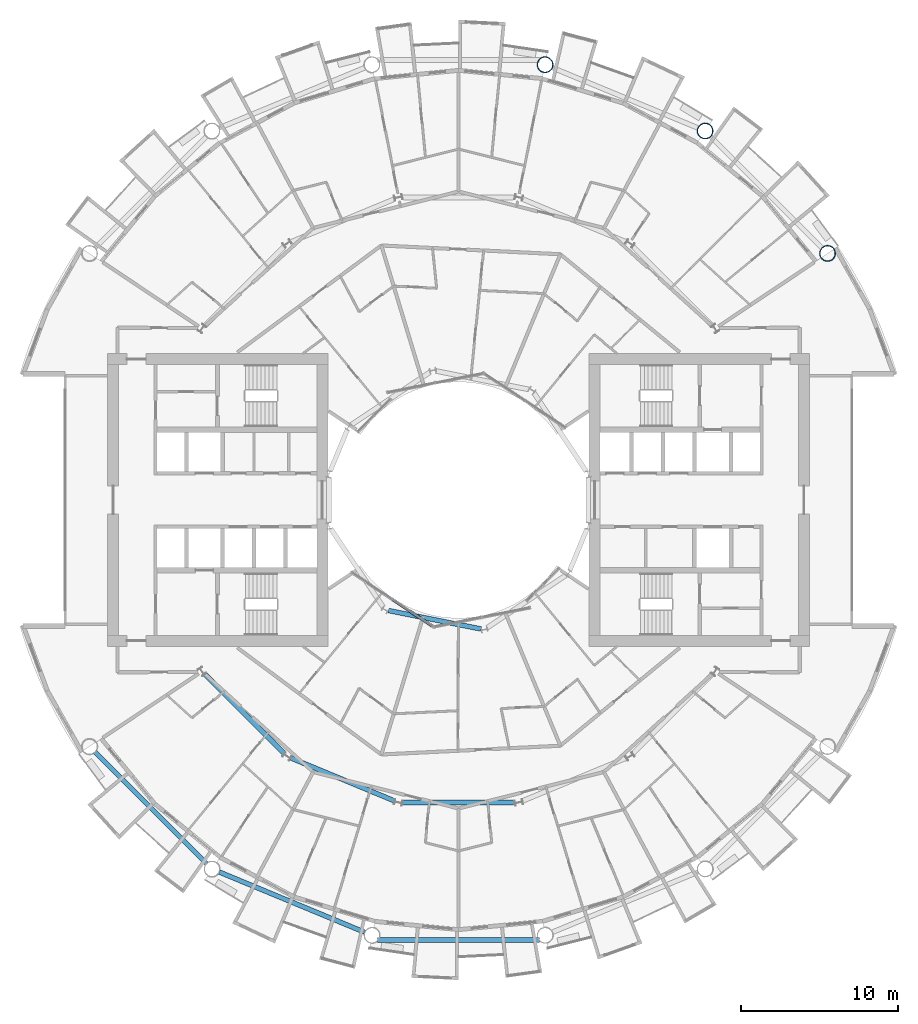
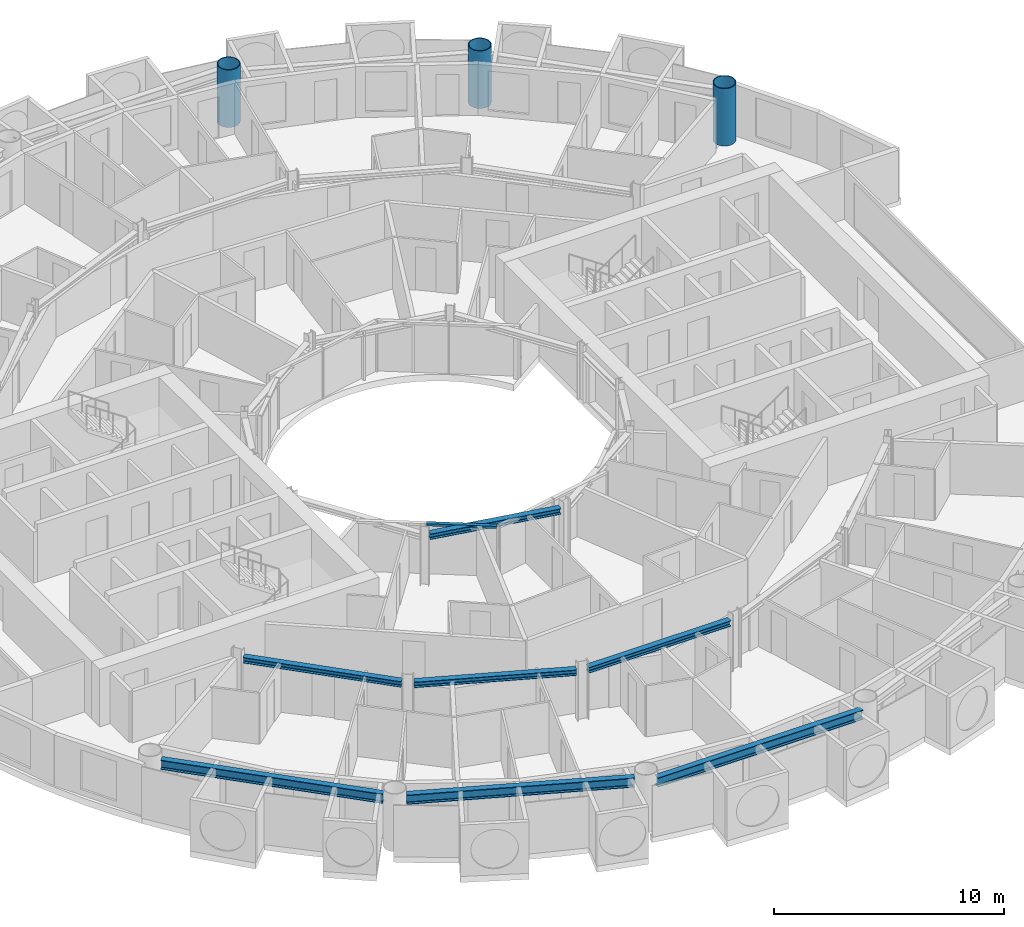
# One storey, part 4 of 26: 7 beams, 3 columns, 1 member, 1 element without a shape of its own.
"""IFC4 building model written with IfcOpenShell, lengths in metres."""

from ifc_helpers import new_model, si_unit, direction, frame, origin, origin_2d, place, context, subcontext, project, spatial, rectangle, hollow_circle, i_section, extrude, material, layer, layer_set, material_profile, profile_set, type_object, element, aggregate, save


model = new_model("IFC4")

# Units and contexts
model_context = context("Model", 3, precision=1e-05, world=origin(), true_north=direction((0.0, 1.0)))
body_context = subcontext(model_context, "Body", "Model", "MODEL_VIEW")
ifc_project = project(units=[si_unit("LENGTHUNIT", "METRE"), si_unit("AREAUNIT", "SQUARE_METRE"), si_unit("VOLUMEUNIT", "CUBIC_METRE"), si_unit("PLANEANGLEUNIT", "RADIAN"), si_unit("MASSUNIT", "GRAM", prefix="KILO")], contexts=[model_context])

# Site, building, storey
site_placement = place(None, origin())
site = spatial("IfcSite", under=ifc_project, at=site_placement, CompositionType="ELEMENT")
building_placement = place(site_placement, origin())
building = spatial("IfcBuilding", under=site, at=building_placement, Name="Maasbend Ring Residences", CompositionType="ELEMENT")
storey_placement = place(building_placement, frame((0.0, 0.0, 84.949951171875)))
storey = spatial("IfcBuildingStorey", under=building, at=storey_placement, Name="L24", CompositionType="ELEMENT", Elevation=84.949951171875)

# Columns
ifc_material_1 = material(Name="Composite concrete-filled steel tube S460NH / C80/95", Category="concrete")
ifc_material_profile_1 = material_profile(ifc_material_1, hollow_circle(Radius=0.508056640625, WallThickness=0.0400390625, at=origin_2d()), Name="Composite tube column CHS 1016x40")
ifc_profile_set_1 = profile_set([ifc_material_profile_1], Name="Composite concrete-filled steel tube S460NH / C80/95")
column_type = type_object("IfcColumnType", Name="Composite tube column CHS 1016x40", PredefinedType="COLUMN", material=ifc_profile_set_1)
for number, where, z_axis, x_axis, name in (
    (1, (23.447509765625, 15.6669921875, 0.0), (0.0, 0.0, 1.0), (1.0, 0.0, 0.0), "Outer column R2"),
    (2, (15.6669921875, 23.447509765625, 0.0), (0.0, 0.0, 1.0), (1.0, 0.0, 0.0), "Outer column R3"),
    (3, (5.50146484375, 27.658203125, 0.0), (0.0, 0.0, 1.0), (1.0, 0.0, 0.0), "Outer column R4"),
):
    element("IfcColumn", number, at=place(storey_placement, frame(where, z_axis=z_axis, x_axis=x_axis)), inside=storey, type_object=column_type, Name=name, PredefinedType="COLUMN", context=body_context, shape_type="SweptSolid", body=[
        extrude(hollow_circle(Radius=0.508056640625, WallThickness=0.0400390625, at=origin_2d()), origin(), (0.0, 0.0, 1.0), 3.050048828125),
    ])

# Curtain wall, member
ifc_material_2 = material(Name="Aluminium and clear glass", Category="aluminium")
ifc_layer = layer(ifc_material_2, 0.179931640625)
ifc_layer_set = layer_set([ifc_layer], Name="CW-W")
curtain_wall_type = type_object("IfcCurtainWallType", Name="CW-W", PredefinedType="NOTDEFINED", material=ifc_layer_set)
curtain_wall_placement = place(storey_placement, origin())
curtain_wall = element("IfcCurtainWall", 4, at=curtain_wall_placement, inside=storey, type_object=curtain_wall_type, Name="Well curtain wall S1", PredefinedType="NOTDEFINED")
ifc_material_3 = material(Name="Aluminium 6063-T6", Category="aluminium")
ifc_material_profile_2 = material_profile(ifc_material_3, rectangle(XDim=0.179931640625, YDim=0.1201171875, at=origin_2d()), Name="AL 180x120")
ifc_profile_set_2 = profile_set([ifc_material_profile_2], Name="Aluminium 6063-T6")
member_type = type_object("IfcMemberType", Name="CWT-W", PredefinedType="USERDEFINED", material=ifc_profile_set_2)
member_placement = place(storey_placement, frame((-4.19189453125, -6.32763671875, 2.64013671875), z_axis=(0.831496422459, -0.555530106689, 0.0), x_axis=(0.555530106689, 0.831496422459, 0.0)))
member = element("IfcMember", 5, at=member_placement, type_object=member_type, Name="Transom well face", ObjectType="TRANSOM", PredefinedType="USERDEFINED", context=body_context, shape_type="SweptSolid", body=[
    extrude(rectangle(XDim=0.179931640625, YDim=0.1201171875, at=origin_2d()), origin(), (0.0, 0.0, 1.0), 3.053955078125),
])
aggregate(curtain_wall, [member])

# Beams
ifc_material_4 = material(Name="Steel S355J2", Category="steel")
ifc_material_profile_3 = material_profile(ifc_material_4, i_section(OverallWidth=0.300048828125, OverallDepth=0.300048828125, WebThickness=0.010986328125, FlangeThickness=0.01904296875, FilletRadius=0.027099609375, at=origin_2d()), Name="HEB 300")
ifc_profile_set_3 = profile_set([ifc_material_profile_3], Name="Steel S355J2")
beam_type_1 = type_object("IfcBeamType", Name="Corridor ring beam HEB 300", PredefinedType="BEAM", material=ifc_profile_set_3)
for number, where, z_axis, x_axis, name in (
    (6, (-16.10791015625, -11.078125, 2.550048828125), (0.707106781187, -0.707106781187, 0.0), (0.707106781187, 0.707106781187, 0.0), "Corridor ring beam"),
    (7, (-10.642333984375, -16.39892578125, 2.550048828125), (0.923877113721, -0.382689271788, 0.0), (0.382689271788, 0.923877113721, 0.0), "Corridor ring beam"),
    (8, (-3.556640625, -19.223388671875, 2.550048828125), (1.0, 0.0, 0.0), (0.0, 1.0, 0.0), "Corridor ring beam"),
):
    element("IfcBeam", number, at=place(storey_placement, frame(where, z_axis=z_axis, x_axis=x_axis)), inside=storey, type_object=beam_type_1, Name=name, PredefinedType="BEAM", context=body_context, shape_type="SweptSolid", body=[
        extrude(i_section(OverallWidth=0.300048828125, OverallDepth=0.300048828125, WebThickness=0.010986328125, FlangeThickness=0.01904296875, FilletRadius=0.027099609375, at=origin_2d()), origin(), (0.0, 0.0, 1.0), 7.11328125),
    ])
ifc_material_5 = material(Name="Steel S355J2", Category="steel")
ifc_material_profile_4 = material_profile(ifc_material_5, i_section(OverallWidth=0.300048828125, OverallDepth=0.5, WebThickness=0.014404296875, FlangeThickness=0.028076171875, FilletRadius=0.027099609375, at=origin_2d()), Name="HEB 500")
ifc_profile_set_4 = profile_set([ifc_material_profile_4], Name="Steel S355J2")
beam_type_2 = type_object("IfcBeamType", Name="Spandrel ring beam HEB 500", PredefinedType="SPANDREL", material=ifc_profile_set_4)
beam_1_placement = place(storey_placement, frame((-23.088134765625, -16.0263671875, 2.449951171875), z_axis=(0.707106781187, -0.707106781187, 0.0), x_axis=(0.707106781187, 0.707106781187, 0.0)))
element("IfcBeam", 9, at=beam_1_placement, inside=storey, type_object=beam_type_2, Name="Spandrel ring beam", PredefinedType="SPANDREL", context=body_context, shape_type="SweptSolid", body=[
    extrude(i_section(OverallWidth=0.300048828125, OverallDepth=0.5, WebThickness=0.014404296875, FlangeThickness=0.028076171875, FilletRadius=0.027099609375, at=origin_2d()), origin(), (0.0, 0.0, 1.0), 9.98681640625),
])
beam_2_placement = place(storey_placement, frame((-15.19775390625, -23.641845703125, 2.449951171875), z_axis=(0.923886337442, -0.382667003395, 0.0), x_axis=(0.382667003395, 0.923886337442, 0.0)))
element("IfcBeam", 10, at=beam_2_placement, inside=storey, type_object=beam_type_2, Name="Spandrel ring beam", PredefinedType="SPANDREL", context=body_context, shape_type="SweptSolid", body=[
    extrude(i_section(OverallWidth=0.300048828125, OverallDepth=0.5, WebThickness=0.014404296875, FlangeThickness=0.028076171875, FilletRadius=0.027099609375, at=origin_2d()), origin(), (0.0, 0.0, 1.0), 9.9873046875),
])
beam_3_placement = place(storey_placement, frame((-5.1435546875, -27.9580078125, 2.449951171875), z_axis=(1.0, 0.0, 0.0), x_axis=(0.0, 1.0, 0.0)))
element("IfcBeam", 11, at=beam_3_placement, inside=storey, type_object=beam_type_2, Name="Spandrel ring beam", PredefinedType="SPANDREL", context=body_context, shape_type="SweptSolid", body=[
    extrude(i_section(OverallWidth=0.300048828125, OverallDepth=0.5, WebThickness=0.014404296875, FlangeThickness=0.028076171875, FilletRadius=0.027099609375, at=origin_2d()), origin(), (0.0, 0.0, 1.0), 10.287109375),
])
ifc_material_6 = material(Name="Steel S355J2", Category="steel")
ifc_material_profile_5 = material_profile(ifc_material_6, i_section(OverallWidth=0.300048828125, OverallDepth=0.300048828125, WebThickness=0.010986328125, FlangeThickness=0.01904296875, FilletRadius=0.027099609375, at=origin_2d()), Name="HEB 300")
ifc_profile_set_5 = profile_set([ifc_material_profile_5], Name="Steel S355J2")
beam_type_3 = type_object("IfcBeamType", Name="Well edge beam HEB 300", PredefinedType="BEAM", material=ifc_profile_set_5)
beam_4_placement = place(storey_placement, frame((-4.45458984375, -7.026611328125, 2.550048828125), z_axis=(0.980789954577, -0.195066821885, 0.0), x_axis=(0.195066821885, 0.980789954577, 0.0)))
element("IfcBeam", 12, at=beam_4_placement, inside=storey, type_object=beam_type_3, Name="Well edge beam", PredefinedType="BEAM", context=body_context, shape_type="SweptSolid", body=[
    extrude(i_section(OverallWidth=0.300048828125, OverallDepth=0.300048828125, WebThickness=0.010986328125, FlangeThickness=0.01904296875, FilletRadius=0.027099609375, at=origin_2d()), origin(), (0.0, 0.0, 1.0), 5.996337890625),
])

save(model, "model.ifc")
